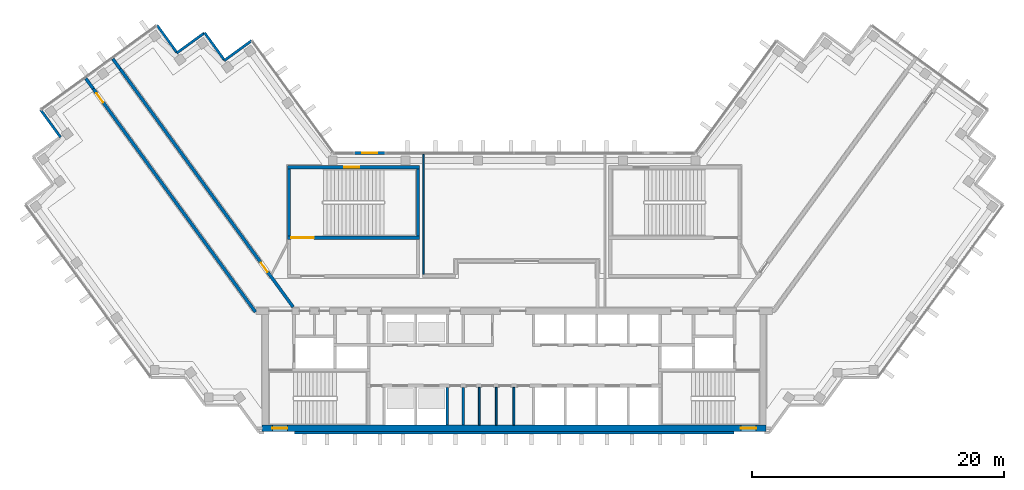
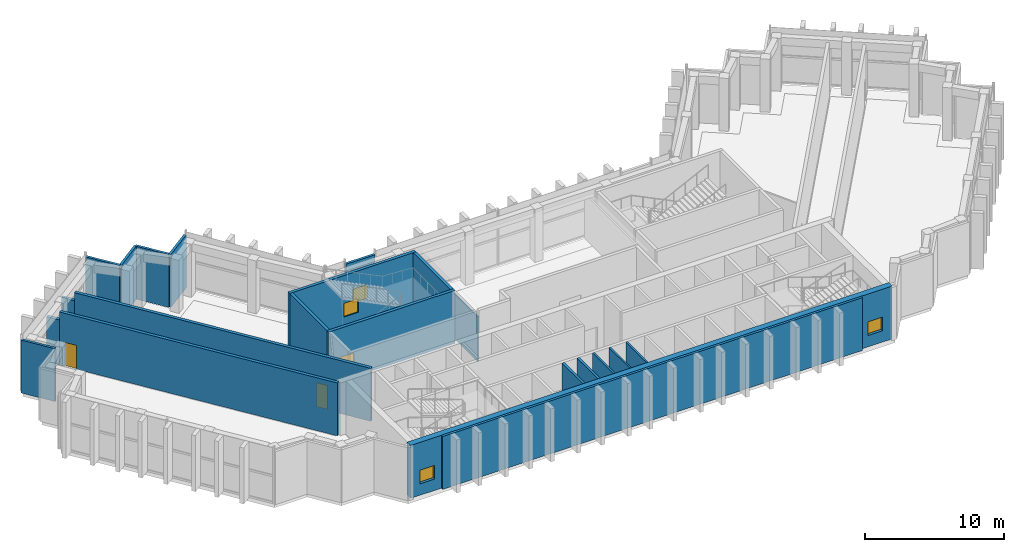
# One storey, part 8 of 14: 22 walls, 4 windows, 3 doors, 7 openings.
"""IFC4 building model written with IfcOpenShell, lengths in metres."""

from ifc_helpers import new_model, si_unit, direction, frame, frame_2d, origin, place, context, subcontext, project, spatial, rectangle, extrude, material, layer, layer_set, type_object, element, fill, save


model = new_model("IFC4")

# Units and contexts
model_context = context("Model", 3, precision=1e-05, world=origin(), true_north=direction((0.0, 1.0)))
body_context = subcontext(model_context, "Body", "Model", "MODEL_VIEW")
ifc_project = project(units=[si_unit("LENGTHUNIT", "METRE"), si_unit("AREAUNIT", "SQUARE_METRE"), si_unit("VOLUMEUNIT", "CUBIC_METRE"), si_unit("PLANEANGLEUNIT", "RADIAN"), si_unit("MASSUNIT", "GRAM", prefix="KILO")], contexts=[model_context])

# Site, building, storey
site_placement = place(None, origin())
site = spatial("IfcSite", under=ifc_project, at=site_placement, CompositionType="ELEMENT")
building_placement = place(site_placement, origin())
building = spatial("IfcBuilding", under=site, at=building_placement, Name="Quipu Civic Tower", CompositionType="ELEMENT")
storey_placement = place(building_placement, frame((0.0, 0.0, 248.0)))
storey = spatial("IfcBuildingStorey", under=building, at=storey_placement, Name="L58", CompositionType="ELEMENT", Elevation=248.0)

# Wall, opening, door
ifc_material_1 = material(Name="Concrete C70/85", Category="concrete")
ifc_layer_1 = layer(ifc_material_1, 0.25)
ifc_layer_set_1 = layer_set([ifc_layer_1], Name="Concrete C70/85")
wall_type_1 = type_object("IfcWallType", Name="Core wall 250", PredefinedType="SHEAR", material=ifc_layer_set_1)
wall_1_placement = place(storey_placement, frame((-18.0, 4.375, 0.0), z_axis=(0.0, 0.0, 1.0), x_axis=(1.0, 0.0, 0.0)))
wall_1 = element("IfcWall", 1, at=wall_1_placement, inside=storey, type_object=wall_type_1, Name="Core wall", PredefinedType="SHEAR", context=body_context, shape_type="SweptSolid", body=[
    extrude(rectangle(XDim=10.5, YDim=0.25, at=frame_2d((5.25, 0.0))), origin(), (0.0, 0.0, 1.0), 4.64990234375),
])
opening_1_placement = place(wall_1_placement, frame((0.300048828125, 0.0, 0.0)))
opening_1 = element("IfcOpeningElement", 2, at=opening_1_placement, cuts=wall_1, Name="Opening CD-21", PredefinedType="OPENING", context=body_context, shape_type="SweptSolid", body=[
    extrude(rectangle(XDim=1.800048828125, YDim=2.10009765625, at=frame_2d((0.89990234375, 1.050048828125))), frame((0.0, 0.135009765625, 0.0), z_axis=(0.0, -1.0, 0.0), x_axis=(1.0, 0.0, 0.0)), (0.0, 0.0, 1.0), 0.27001953125),
])
ifc_material_2 = material(Name="Fire rated steel door", Category="steel")
door_type_1 = type_object("IfcDoorType", Name="Fire door FD90 double 1800 x 2100", OperationType="NOTDEFINED", PredefinedType="DOOR", material=ifc_material_2)
door_1_placement = place(opening_1_placement, origin())
door_1 = element("IfcDoor", 3, at=door_1_placement, inside=storey, type_object=door_type_1, Name="Door", OperationType="DOUBLE_DOOR_SINGLE_SWING", OverallHeight=2.10009765625, OverallWidth=1.800048828125, PredefinedType="DOOR", context=body_context, shape_type="SweptSolid", body=[
    extrude(rectangle(XDim=1.800048828125, YDim=2.10009765625, at=frame_2d((0.89990234375, 1.050048828125))), frame((0.0, 0.02490234375, 0.0), z_axis=(0.0, -1.0, 0.0), x_axis=(1.0, 0.0, 0.0)), (0.0, 0.0, 1.0), 0.050048828125),
])
fill(opening_1, door_1)

# Walls
for number, where, z_axis, x_axis, name in (
    (4, (-17.875, 4.5, 0.0), (0.0, 0.0, 1.0), (0.0, 1.0, 0.0), "Core wall"),
    (5, (-7.625, 4.5, 0.0), (0.0, 0.0, 1.0), (0.0, 1.0, 0.0), "Core wall"),
):
    element("IfcWall", number, at=place(storey_placement, frame(where, z_axis=z_axis, x_axis=x_axis)), inside=storey, type_object=wall_type_1, Name=name, PredefinedType="SHEAR", context=body_context, shape_type="SweptSolid", body=[
        extrude(rectangle(XDim=5.35009765625, YDim=0.25, at=frame_2d((2.675048828125, 0.0))), origin(), (0.0, 0.0, 1.0), 4.64990234375),
    ])

# Wall, opening, window
wall_2_placement = place(storey_placement, frame((-18.0, 9.97509765625, 0.0), z_axis=(0.0, 0.0, 1.0), x_axis=(1.0, 0.0, 0.0)))
wall_2 = element("IfcWall", 6, at=wall_2_placement, inside=storey, type_object=wall_type_1, Name="Core wall", PredefinedType="SHEAR", context=body_context, shape_type="SweptSolid", body=[
    extrude(rectangle(XDim=10.5, YDim=0.25, at=frame_2d((5.25, 0.0))), origin(), (0.0, 0.0, 1.0), 4.64990234375),
])
opening_2_placement = place(wall_2_placement, frame((4.5, 0.0, 1.0)))
opening_2 = element("IfcOpeningElement", 7, at=opening_2_placement, cuts=wall_2, Name="Opening SV-3", PredefinedType="OPENING", context=body_context, shape_type="SweptSolid", body=[
    extrude(rectangle(XDim=1.199951171875, YDim=1.199951171875, at=frame_2d((0.60009765625, 0.60009765625))), frame((0.0, 0.135009765625, 0.0), z_axis=(0.0, -1.0, 0.0), x_axis=(1.0, 0.0, 0.0)), (0.0, 0.0, 1.0), 0.27001953125),
])
ifc_material_3 = material(Name="Aluminium louvre", Category="aluminium")
window_type_1 = type_object("IfcWindowType", Name="Stair ventilation louvre 1200 x 1200", PartitioningType="SINGLE_PANEL", PredefinedType="WINDOW", material=ifc_material_3)
window_1_placement = place(opening_2_placement, origin())
window_1 = element("IfcWindow", 8, at=window_1_placement, inside=storey, type_object=window_type_1, Name="Stair ventilation opening", OverallHeight=1.199951171875, OverallWidth=1.199951171875, PartitioningType="SINGLE_PANEL", PredefinedType="WINDOW", context=body_context, shape_type="SweptSolid", body=[
    extrude(rectangle(XDim=1.199951171875, YDim=1.199951171875, at=frame_2d((0.60009765625, 0.60009765625))), frame((0.0, 0.030029296875, 0.0), z_axis=(0.0, -1.0, 0.0), x_axis=(1.0, 0.0, 0.0)), (0.0, 0.0, 1.0), 0.06005859375),
])
fill(opening_2, window_1)

# Wall, openings, windows
ifc_material_4 = material(Name="Concrete C70/85", Category="concrete")
ifc_layer_2 = layer(ifc_material_4, 0.5)
ifc_layer_set_2 = layer_set([ifc_layer_2], Name="Concrete C70/85")
wall_type_2 = type_object("IfcWallType", Name="Core wall 500", PredefinedType="SHEAR", material=ifc_layer_set_2)
wall_3_placement = place(storey_placement, frame((-20.0, -10.75, 0.0), z_axis=(0.0, 0.0, 1.0), x_axis=(1.0, 0.0, 0.0)))
wall_3 = element("IfcWall", 9, at=wall_3_placement, inside=storey, type_object=wall_type_2, Name="Core wall", PredefinedType="SHEAR", context=body_context, shape_type="SweptSolid", body=[
    extrude(rectangle(XDim=40.0, YDim=0.5, at=frame_2d((20.0, 0.0))), origin(), (0.0, 0.0, 1.0), 4.64990234375),
])
opening_3_placement = place(wall_3_placement, frame((0.800048828125, 0.0, 1.0)))
opening_3 = element("IfcOpeningElement", 10, at=opening_3_placement, cuts=wall_3, Name="Opening SV-1", PredefinedType="OPENING", context=body_context, shape_type="SweptSolid", body=[
    extrude(rectangle(XDim=1.199951171875, YDim=1.199951171875, at=frame_2d((0.60009765625, 0.60009765625))), frame((0.0, 0.260009765625, 0.0), z_axis=(0.0, -1.0, 0.0), x_axis=(1.0, 0.0, 0.0)), (0.0, 0.0, 1.0), 0.52001953125),
])
opening_4_placement = place(wall_3_placement, frame((38.0, 0.0, 1.0)))
opening_4 = element("IfcOpeningElement", 11, at=opening_4_placement, cuts=wall_3, Name="Opening SV-2", PredefinedType="OPENING", context=body_context, shape_type="SweptSolid", body=[
    extrude(rectangle(XDim=1.199951171875, YDim=1.199951171875, at=frame_2d((0.60009765625, 0.60009765625))), frame((0.0, 0.260009765625, 0.0), z_axis=(0.0, -1.0, 0.0), x_axis=(1.0, 0.0, 0.0)), (0.0, 0.0, 1.0), 0.52001953125),
])
window_2_placement = place(opening_3_placement, origin())
window_2 = element("IfcWindow", 12, at=window_2_placement, inside=storey, type_object=window_type_1, Name="Stair ventilation opening", OverallHeight=1.199951171875, OverallWidth=1.199951171875, PartitioningType="SINGLE_PANEL", PredefinedType="WINDOW", context=body_context, shape_type="SweptSolid", body=[
    extrude(rectangle(XDim=1.199951171875, YDim=1.199951171875, at=frame_2d((0.60009765625, 0.60009765625))), frame((0.0, 0.030029296875, 0.0), z_axis=(0.0, -1.0, 0.0), x_axis=(1.0, 0.0, 0.0)), (0.0, 0.0, 1.0), 0.06005859375),
])
fill(opening_3, window_2)
window_3_placement = place(opening_4_placement, origin())
window_3 = element("IfcWindow", 13, at=window_3_placement, inside=storey, type_object=window_type_1, Name="Stair ventilation opening", OverallHeight=1.199951171875, OverallWidth=1.199951171875, PartitioningType="SINGLE_PANEL", PredefinedType="WINDOW", context=body_context, shape_type="SweptSolid", body=[
    extrude(rectangle(XDim=1.199951171875, YDim=1.199951171875, at=frame_2d((0.60009765625, 0.60009765625))), frame((0.0, 0.030029296875, 0.0), z_axis=(0.0, -1.0, 0.0), x_axis=(1.0, 0.0, 0.0)), (0.0, 0.0, 1.0), 0.06005859375),
])
fill(opening_4, window_3)

# Wall, opening, door
ifc_material_5 = material(Name="Concrete C50/60", Category="concrete")
ifc_layer_3 = layer(ifc_material_5, 0.25)
ifc_layer_set_3 = layer_set([ifc_layer_3], Name="Concrete C50/60")
wall_type_3 = type_object("IfcWallType", Name="Corridor wall 250 concrete", PredefinedType="SOLIDWALL", material=ifc_layer_set_3)
wall_4_placement = place(storey_placement, frame((-20.531005859375, -1.5234375, 0.0), z_axis=(0.0, 0.0, 1.0), x_axis=(-0.587786711753, 0.809015934013, 0.0)))
wall_4 = element("IfcWall", 14, at=wall_4_placement, inside=storey, type_object=wall_type_3, Name="Corridor wall C04", PredefinedType="SOLIDWALL", context=body_context, shape_type="SweptSolid", body=[
    extrude(rectangle(XDim=21.911376953125, YDim=0.25, at=frame_2d((10.95556640625, 0.0))), origin(), (0.0, 0.0, 1.0), 4.64990234375),
])
opening_5_placement = place(wall_4_placement, frame((20.57080078125, 0.0, 0.0)))
opening_5 = element("IfcOpeningElement", 15, at=opening_5_placement, cuts=wall_4, Name="Opening D005", PredefinedType="OPENING", context=body_context, shape_type="SweptSolid", body=[
    extrude(rectangle(XDim=0.89990234375, YDim=2.10009765625, at=frame_2d((0.449951171875, 1.050048828125))), frame((0.0, 0.135009765625, 0.0), z_axis=(0.0, -1.0, 0.0), x_axis=(1.0, 0.0, 0.0)), (0.0, 0.0, 1.0), 0.27001953125),
])
ifc_material_6 = material(Name="Fire rated timber door set with metal frame", Category="wood")
door_type_2 = type_object("IfcDoorType", Name="Single door 900 x 2100 FD60", OperationType="NOTDEFINED", PredefinedType="DOOR", material=ifc_material_6)
door_2_placement = place(opening_5_placement, origin())
door_2 = element("IfcDoor", 16, at=door_2_placement, inside=storey, type_object=door_type_2, Name="Door D005", OperationType="SINGLE_SWING_RIGHT", OverallHeight=2.10009765625, OverallWidth=0.89990234375, PredefinedType="DOOR", context=body_context, shape_type="SweptSolid", body=[
    extrude(rectangle(XDim=0.89990234375, YDim=2.10009765625, at=frame_2d((0.449951171875, 1.050048828125))), frame((0.0, 0.02490234375, 0.0), z_axis=(0.0, -1.0, 0.0), x_axis=(1.0, 0.0, 0.0)), (0.0, 0.0, 1.0), 0.050048828125),
])
fill(opening_5, door_2)

wall_5_placement = place(storey_placement, frame((-31.266845703125, 17.76171875, 0.0), z_axis=(0.0, 0.0, 1.0), x_axis=(0.587787966774, -0.809015022181, 0.0)))
wall_5 = element("IfcWall", 17, at=wall_5_placement, inside=storey, type_object=wall_type_3, Name="Corridor wall C05", PredefinedType="SOLIDWALL", context=body_context, shape_type="SweptSolid", body=[
    extrude(rectangle(XDim=23.344970703125, YDim=0.25, at=frame_2d((11.67236328125, 0.0))), origin(), (0.0, 0.0, 1.0), 4.64990234375),
])
opening_6_placement = place(wall_5_placement, frame((19.003662109375, 0.0, 0.0)))
opening_6 = element("IfcOpeningElement", 18, at=opening_6_placement, cuts=wall_5, Name="Opening D004", PredefinedType="OPENING", context=body_context, shape_type="SweptSolid", body=[
    extrude(rectangle(XDim=0.89990234375, YDim=2.10009765625, at=frame_2d((0.449951171875, 1.050048828125))), frame((0.0, 0.135009765625, 0.0), z_axis=(0.0, -1.0, 0.0), x_axis=(1.0, 0.0, 0.0)), (0.0, 0.0, 1.0), 0.27001953125),
])
door_3_placement = place(opening_6_placement, origin())
door_3 = element("IfcDoor", 19, at=door_3_placement, inside=storey, type_object=door_type_2, Name="Door D004", OperationType="SINGLE_SWING_RIGHT", OverallHeight=2.10009765625, OverallWidth=0.89990234375, PredefinedType="DOOR", context=body_context, shape_type="SweptSolid", body=[
    extrude(rectangle(XDim=0.89990234375, YDim=2.10009765625, at=frame_2d((0.449951171875, 1.050048828125))), frame((0.0, 0.02490234375, 0.0), z_axis=(0.0, -1.0, 0.0), x_axis=(1.0, 0.0, 0.0)), (0.0, 0.0, 1.0), 0.050048828125),
])
fill(opening_6, door_3)

# Walls
wall_6_placement = place(storey_placement, frame((-33.41015625, 16.203125, 0.0), z_axis=(0.0, 0.0, 1.0), x_axis=(-0.587696850957, 0.809081214326, 0.0)))
element("IfcWall", 20, at=wall_6_placement, inside=storey, type_object=wall_type_3, Name="Corridor wall C04", PredefinedType="SOLIDWALL", context=body_context, shape_type="SweptSolid", body=[
    extrude(rectangle(XDim=1.009033203125, YDim=0.25, at=frame_2d((0.50439453125, 0.0))), origin(), (0.0, 0.0, 1.0), 3.949951171875),
])
wall_7_placement = place(storey_placement, frame((-31.266845703125, 17.76171875, 0.0), z_axis=(0.0, 0.0, 1.0), x_axis=(-0.587840411638, 0.808976915892, 0.0)))
element("IfcWall", 21, at=wall_7_placement, inside=storey, type_object=wall_type_3, Name="Corridor wall C05", PredefinedType="SOLIDWALL", context=body_context, shape_type="SweptSolid", body=[
    extrude(rectangle(XDim=1.008056640625, YDim=0.25, at=frame_2d((0.50390625, 0.0))), origin(), (0.0, 0.0, 1.0), 3.949951171875),
])
ifc_material_7 = material(Name="Gypsum plasterboard on light gauge framing")
ifc_layer_4 = layer(ifc_material_7, 0.1201171875)
ifc_layer_set_4 = layer_set([ifc_layer_4], Name="Gypsum plasterboard on light gauge framing")
wall_type_4 = type_object("IfcWallType", Name="Partition 120 plasterboard", PredefinedType="PARTITIONING", material=ifc_layer_set_4)
wall_8_placement = place(storey_placement, frame((-7.197998046875, 11.0, 0.0), z_axis=(0.0, 0.0, 1.0), x_axis=(0.0, -1.0, 0.0)))
element("IfcWall", 22, at=wall_8_placement, inside=storey, type_object=wall_type_4, Name="Partition P04", PredefinedType="PARTITIONING", context=body_context, shape_type="SweptSolid", body=[
    extrude(rectangle(XDim=9.550048828125, YDim=0.1201171875, at=frame_2d((4.77490234375, 0.0))), origin(), (0.0, 0.0, 1.0), 3.949951171875),
])
ifc_material_8 = material(Name="Gypsum board partition")
ifc_layer_5 = layer(ifc_material_8, 0.14990234375)
ifc_layer_set_5 = layer_set([ifc_layer_5], Name="Gypsum board partition")
wall_type_5 = type_object("IfcWallType", Name="Partition 150", PredefinedType="PARTITIONING", material=ifc_layer_set_5)
for number, where, z_axis, x_axis, name in (
    (23, (-2.77490234375, -10.5, 0.0), (0.0, 0.0, 1.0), (0.0, 1.0, 0.0), "Partition"),
    (24, (-1.425048828125, -10.5, 0.0), (0.0, 0.0, 1.0), (0.0, 1.0, 0.0), "Partition"),
    (25, (-0.02490234375, -10.5, 0.0), (0.0, 0.0, 1.0), (0.0, 1.0, 0.0), "Partition"),
):
    element("IfcWall", number, at=place(storey_placement, frame(where, z_axis=z_axis, x_axis=x_axis)), inside=storey, type_object=wall_type_5, Name=name, PredefinedType="PARTITIONING", context=body_context, shape_type="SweptSolid", body=[
        extrude(rectangle(XDim=3.0, YDim=0.14990234375, at=frame_2d((1.5, 0.0))), origin(), (0.0, 0.0, 1.0), 4.64990234375),
    ])
ifc_material_9 = material(Name="Precast concrete C40/50", Category="concrete")
wall_type_6 = type_object("IfcWallType", Name="Precast cladding wall", PredefinedType="SOLIDWALL", material=ifc_material_9)
for number, where, z_axis, x_axis, name in (
    (26, (-20.828857421875, 20.025390625, 0.0), (0.0, 0.0, 1.0), (-0.808990163075, -0.587822180636, 0.0), "Precast cladding wall L58 2"),
    (27, (-22.996337890625, 18.465576171875, 0.0), (0.0, 0.0, 1.0), (-0.587762999008, 0.809033161865, 0.0), "Precast cladding wall L58 3"),
):
    element("IfcWall", number, at=place(storey_placement, frame(where, z_axis=z_axis, x_axis=x_axis)), inside=storey, type_object=wall_type_6, Name=name, PredefinedType="SOLIDWALL", context=body_context, shape_type="SweptSolid", body=[
        extrude(rectangle(XDim=2.699951171875, YDim=0.199951171875, at=frame_2d((1.35009765625, 0.0))), origin(), (0.0, 0.0, 1.0), 4.64990234375),
    ])
for number, where, z_axis, x_axis, name in (
    (28, (-24.60009765625, 20.62255859375, 0.0), (0.0, 0.0, 1.0), (-0.809064397168, -0.587720002413, 0.0), "Precast cladding wall L58 4"),
    (29, (-26.767578125, 19.062744140625, 0.0), (0.0, 0.0, 1.0), (-0.587720002413, 0.809064397168, 0.0), "Precast cladding wall L58 5"),
):
    element("IfcWall", number, at=place(storey_placement, frame(where, z_axis=z_axis, x_axis=x_axis)), inside=storey, type_object=wall_type_6, Name=name, PredefinedType="SOLIDWALL", context=body_context, shape_type="SweptSolid", body=[
        extrude(rectangle(XDim=2.7001953125, YDim=0.199951171875, at=frame_2d((1.35009765625, 0.0))), origin(), (0.0, 0.0, 1.0), 4.64990234375),
    ])
wall_9_placement = place(storey_placement, frame((-37.591796875, 14.535888671875, 0.0), z_axis=(0.0, 0.0, 1.0), x_axis=(0.587762999008, -0.809033161865, 0.0)))
element("IfcWall", 30, at=wall_9_placement, inside=storey, type_object=wall_type_6, Name="Precast cladding wall L58 7", PredefinedType="SOLIDWALL", context=body_context, shape_type="SweptSolid", body=[
    extrude(rectangle(XDim=2.699951171875, YDim=0.199951171875, at=frame_2d((1.35009765625, 0.0))), origin(), (0.0, 0.0, 1.0), 4.64990234375),
])
wall_10_placement = place(storey_placement, frame((-17.44384765625, -11.087890625, 0.0), z_axis=(0.0, 0.0, 1.0), x_axis=(1.0, 0.0, 0.0)))
element("IfcWall", 31, at=wall_10_placement, inside=storey, type_object=wall_type_6, Name="Precast cladding wall L58 17", PredefinedType="SOLIDWALL", context=body_context, shape_type="SweptSolid", body=[
    extrude(rectangle(XDim=34.8876953125, YDim=0.199951171875, at=frame_2d((17.44384765625, 0.0))), origin(), (0.0, 0.0, 1.0), 4.64990234375),
])

# Wall, opening, window
wall_11_placement = place(storey_placement, frame((-10.263427734375, 11.10009765625, 0.0), z_axis=(0.0, 0.0, 1.0), x_axis=(-1.0, 0.0, 0.0)))
wall_11 = element("IfcWall", 32, at=wall_11_placement, inside=storey, type_object=wall_type_6, Name="Vent surround SF-L58-1", PredefinedType="SOLIDWALL", context=body_context, shape_type="SweptSolid", body=[
    extrude(rectangle(XDim=2.3916015625, YDim=0.199951171875, at=frame_2d((1.19580078125, 0.0))), origin(), (0.0, 0.0, 1.0), 4.64990234375),
])
opening_7_placement = place(wall_11_placement, frame((0.595703125, 0.0, 1.0)))
opening_7 = element("IfcOpeningElement", 33, at=opening_7_placement, cuts=wall_11, Name="Opening SF-L58-1", PredefinedType="OPENING", context=body_context, shape_type="SweptSolid", body=[
    extrude(rectangle(XDim=1.199951171875, YDim=1.199951171875, at=frame_2d((0.60009765625, 0.60009765625))), frame((0.0, 0.10986328125, 0.0), z_axis=(0.0, -1.0, 0.0), x_axis=(1.0, 0.0, 0.0)), (0.0, 0.0, 1.0), 0.219970703125),
])
ifc_material_10 = material(Name="Anodised aluminium louvre", Category="aluminium")
window_type_2 = type_object("IfcWindowType", Name="Stair vent louvre window P3", PartitioningType="SINGLE_PANEL", PredefinedType="WINDOW", material=ifc_material_10)
window_4_placement = place(opening_7_placement, origin())
window_4 = element("IfcWindow", 34, at=window_4_placement, inside=storey, type_object=window_type_2, Name="Stair vent louvre SF-L58-1", OverallHeight=1.199951171875, OverallWidth=1.199951171875, PartitioningType="SINGLE_PANEL", PredefinedType="WINDOW", context=body_context, shape_type="SweptSolid", body=[
    extrude(rectangle(XDim=1.199951171875, YDim=1.199951171875, at=frame_2d((0.60009765625, 0.60009765625))), frame((0.0, 0.030029296875, 0.0), z_axis=(0.0, -1.0, 0.0), x_axis=(1.0, 0.0, 0.0)), (0.0, 0.0, 1.0), 0.06005859375),
])
fill(opening_7, window_4)

# Walls
ifc_material_11 = material(Name="Concrete C40/50", Category="concrete")
ifc_layer_6 = layer(ifc_material_11, 0.199951171875)
ifc_layer_set_6 = layer_set([ifc_layer_6], Name="Concrete C40/50")
wall_type_7 = type_object("IfcWallType", Name="Shaft wall 200", PredefinedType="SOLIDWALL", material=ifc_layer_set_6)
for number, where, z_axis, x_axis, name in (
    (35, (-5.300048828125, -10.5, 0.0), (0.0, 0.0, 1.0), (0.0, 1.0, 0.0), "Shaft wall"),
    (36, (-4.050048828125, -10.5, 0.0), (0.0, 0.0, 1.0), (0.0, 1.0, 0.0), "Shaft wall"),
):
    element("IfcWall", number, at=place(storey_placement, frame(where, z_axis=z_axis, x_axis=x_axis)), inside=storey, type_object=wall_type_7, Name=name, PredefinedType="SOLIDWALL", context=body_context, shape_type="SweptSolid", body=[
        extrude(rectangle(XDim=3.0, YDim=0.199951171875, at=frame_2d((1.5, 0.0))), origin(), (0.0, 0.0, 1.0), 4.64990234375),
    ])

save(model, "model.ifc")
